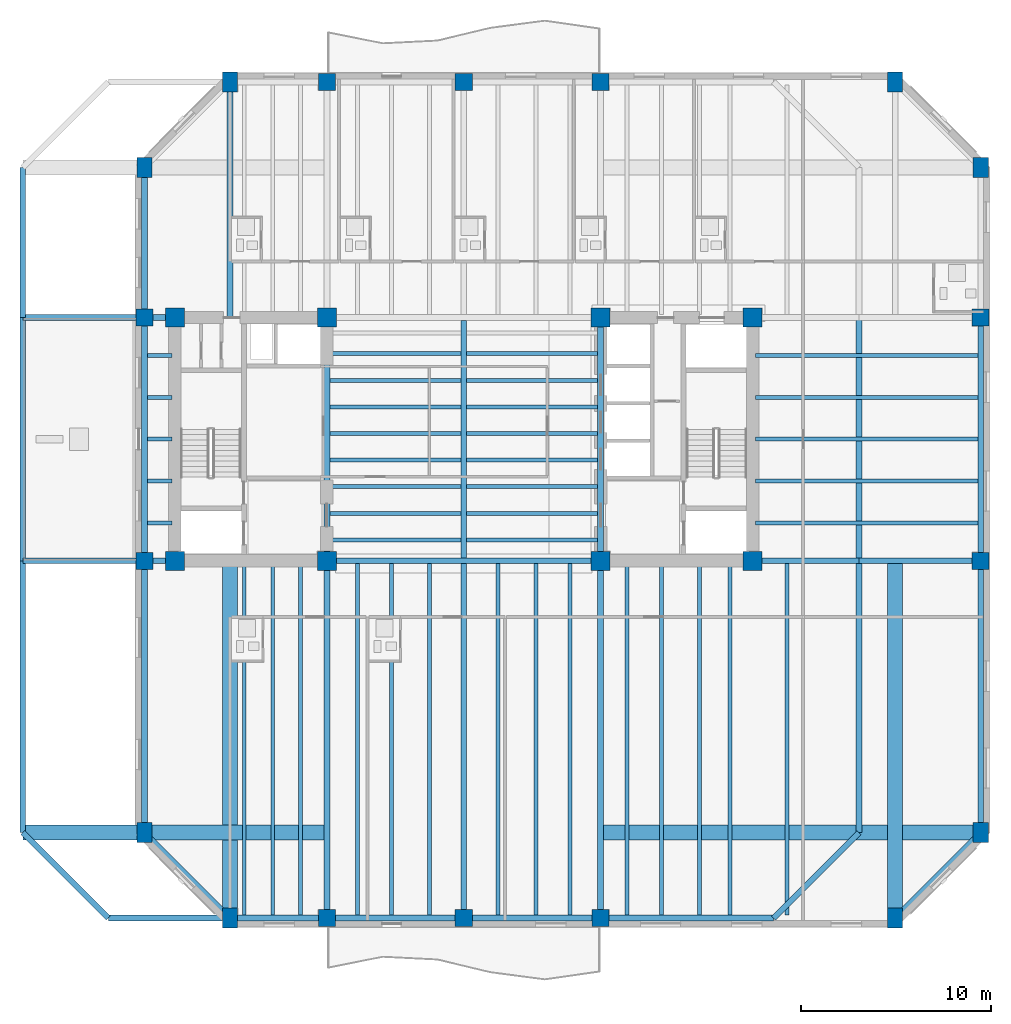
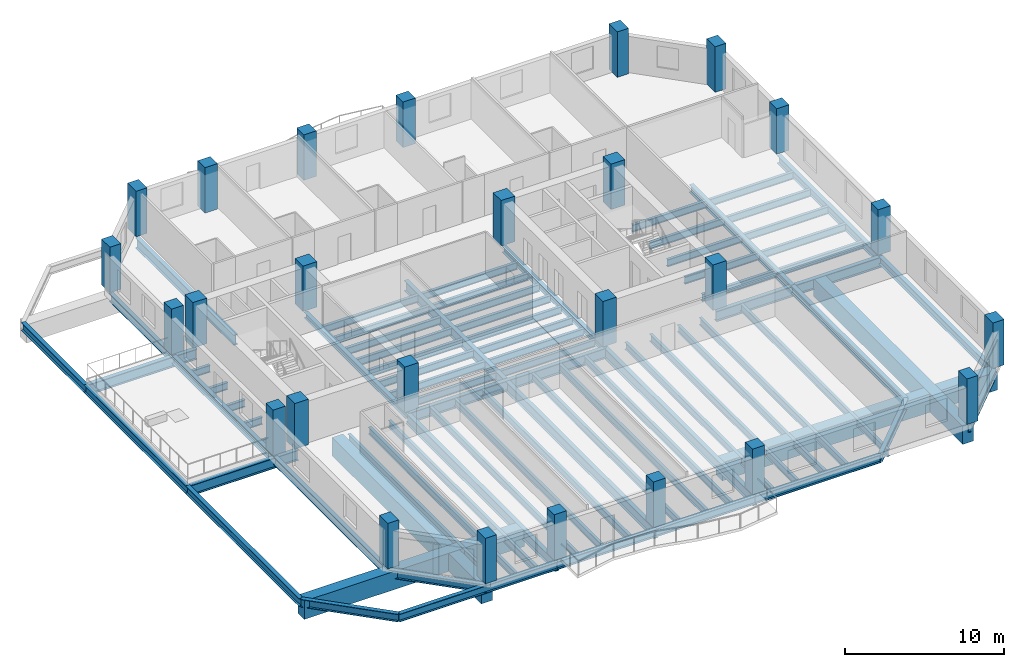
# One storey, part 1 of 11: 74 beams, 26 columns.
"""IFC4 building model written with IfcOpenShell, lengths in metres."""

import ifcopenshell
import ifcopenshell.guid

model = None  # the IFC model being written
_history = None  # IfcOwnerHistory: only IFC2X3 demands one
_inside = {}  # id of a spatial element -> (the spatial element, [elements in it])
_under = {}  # id of a project, library or spatial element -> (it, [spatial elements below it])
_declared = {}  # id of a project -> (the project, [libraries it declares])
_typed = {}  # id of a type object -> (the type object, [elements of that type])
_made_of = {}  # id of a material, layer set ... -> (it, [elements and type objects made of it])


def new_model(schema):
    """Start an empty IFC model of exactly this schema.

    Asked for "IFC4X3", IfcOpenShell would pick the latest addendum, in which some entities
    have other attributes; the version numbers below select the first issue.
    IFC2X3 requires an IfcOwnerHistory on every rooted entity: one is made here for all.
    """
    global model, _history
    if schema == "IFC4X3":
        model = ifcopenshell.file(schema_version=(4, 3, 0, 0))
    else:
        model = ifcopenshell.file(schema=schema)
    _inside.clear()
    _under.clear()
    _declared.clear()
    _typed.clear()
    _made_of.clear()
    _history = None
    if model.schema == "IFC2X3":
        org = make("IfcOrganization", Name="unknown")
        user = make(
            "IfcPersonAndOrganization",
            ThePerson=make("IfcPerson", FamilyName="unknown"),
            TheOrganization=org,
        )
        app = make(
            "IfcApplication",
            ApplicationDeveloper=org,
            Version="unknown",
            ApplicationFullName="unknown",
            ApplicationIdentifier="unknown",
        )
        _history = make(
            "IfcOwnerHistory",
            OwningUser=user,
            OwningApplication=app,
            ChangeAction="ADDED",
            CreationDate=0,
        )
    return model


def make(cls, **values):
    """One entity of the class cls with the attributes given. An attribute that is None is left unset."""
    return model.create_entity(
        cls, **{name: value for name, value in values.items() if value is not None}
    )


def rooted(cls, **values):
    """An entity with a GlobalId (a new one), such as an element, a storey or a relation."""
    return make(cls, GlobalId=ifcopenshell.guid.new(), OwnerHistory=_history, **values)


def si_unit(unit_type, name, prefix=None):
    """IfcSIUnit, for example si_unit("LENGTHUNIT", "METRE", prefix="MILLI")."""
    return make("IfcSIUnit", UnitType=unit_type, Prefix=prefix, Name=name)


def assignment(units):
    """IfcUnitAssignment: the units of a project."""
    return None if units is None else make("IfcUnitAssignment", Units=units)


def point(xyz):
    """IfcCartesianPoint."""
    return None if xyz is None else make("IfcCartesianPoint", Coordinates=xyz)


def direction(xyz):
    """IfcDirection."""
    return None if xyz is None else make("IfcDirection", DirectionRatios=xyz)


def frame(location, z_axis=None, x_axis=None):
    """IfcAxis2Placement3D, a coordinate frame: its origin and axes. An axis left out is left unset."""
    return make(
        "IfcAxis2Placement3D",
        Location=point(location),
        Axis=direction(z_axis),
        RefDirection=direction(x_axis),
    )


def frame_2d(location, x_axis=None):
    """IfcAxis2Placement2D, a coordinate frame in the plane: its origin and x axis."""
    return make(
        "IfcAxis2Placement2D", Location=point(location), RefDirection=direction(x_axis)
    )


def origin():
    """The frame at (0, 0, 0) with its axes left unset."""
    return frame((0.0, 0.0, 0.0))


def origin_2d():
    """The frame at (0, 0) in the plane with its x axis left unset."""
    return frame_2d((0.0, 0.0))


def place(relative_to, where):
    """IfcLocalPlacement: puts the frame where relative to a parent placement (None: the world)."""
    return make(
        "IfcLocalPlacement", PlacementRelTo=relative_to, RelativePlacement=where
    )


def context(
    kind, dimensions, precision=None, world=None, true_north=None, identifier=None
):
    """IfcGeometricRepresentationContext, for example the 3D "Model" context."""
    return make(
        "IfcGeometricRepresentationContext",
        ContextIdentifier=identifier,
        ContextType=kind,
        CoordinateSpaceDimension=dimensions,
        Precision=precision,
        WorldCoordinateSystem=world,
        TrueNorth=true_north,
    )


def subcontext(parent, identifier, kind, view, scale=None):
    """IfcGeometricRepresentationSubContext, for example "Body" below "Model"."""
    return make(
        "IfcGeometricRepresentationSubContext",
        ContextIdentifier=identifier,
        ContextType=kind,
        ParentContext=parent,
        TargetScale=scale,
        TargetView=view,
    )


def project(units=None, contexts=None):
    """IfcProject with its units and contexts."""
    return rooted(
        "IfcProject",
        Name="project",
        RepresentationContexts=contexts,
        UnitsInContext=assignment(units),
    )


def spatial(cls, under=None, at=None, **own):
    """A site, building, storey or space (cls), placed at a placement, below another one or the project."""
    s = rooted(cls, ObjectPlacement=at, **own)
    if under is not None:
        _under.setdefault(under.id(), (under, []))[1].append(s)
    return s


def profile(cls, at=None, kind="AREA", **sizes):
    """A parametric profile (cls). Its sizes go by their IFC names, for example OverallWidth=200.0."""
    return make(cls, ProfileType=kind, Position=at, **sizes)


def rectangle(**sizes):
    """IfcRectangleProfileDef."""
    return profile("IfcRectangleProfileDef", **sizes)


def i_section(**sizes):
    """IfcIShapeProfileDef."""
    return profile("IfcIShapeProfileDef", **sizes)


def extrude(swept, where, along, depth):
    """IfcExtrudedAreaSolid: the profile swept, set in the frame where, extruded along a direction by depth."""
    return make(
        "IfcExtrudedAreaSolid",
        SweptArea=swept,
        Position=where,
        ExtrudedDirection=direction(along),
        Depth=depth,
    )


def shape(context_of_items, identifier, shape_type, items):
    """IfcShapeRepresentation: the items that make up one representation, for example the "Body"."""
    return make(
        "IfcShapeRepresentation",
        ContextOfItems=context_of_items,
        RepresentationIdentifier=identifier,
        RepresentationType=shape_type,
        Items=items,
    )


def material(Name=None, Category=None):
    """IfcMaterial."""
    return make("IfcMaterial", Name=Name, Category=Category)


def material_profile(
    of_material, cross_section, Name=None, Category=None, Priority=None
):
    """IfcMaterialProfile: a cross section and its material."""
    return make(
        "IfcMaterialProfile",
        Name=Name,
        Material=of_material,
        Profile=cross_section,
        Priority=Priority,
        Category=Category,
    )


def profile_set(profiles, Name=None, composite=None):
    """IfcMaterialProfileSet."""
    return make(
        "IfcMaterialProfileSet",
        Name=Name,
        MaterialProfiles=profiles,
        CompositeProfile=composite,
    )


def made_of(thing, what):
    """Note that an element or type object is made of a material, layer set ...; save() writes the relation."""
    if what is not None:
        _made_of.setdefault(what.id(), (what, []))[1].append(thing)
    return thing


def type_object(cls, material=None, **own):
    """A type object (cls), such as IfcWallType, which elements share."""
    return made_of(rooted(cls, **own), material)


def element(
    cls,
    number,
    at=None,
    inside=None,
    cuts=None,
    type_object=None,
    material=None,
    context=None,
    identifier="Body",
    shape_type=None,
    held_by="IfcProductDefinitionShape",
    body=None,
    shapes=None,
    **own,
):
    """One element of the class cls, such as IfcWall. Its Tag is "e" and its number.

    at: its placement. inside: the storey or other place that contains it. cuts: it is an
    opening in that element (IfcRelVoidsElement). A single representation is given by context,
    identifier, shape_type and body (its items); several are given by shapes. held_by: the class
    of the entity that holds the representations. save() writes the other relations.
    """
    e = rooted(cls, Tag="e%d" % number, ObjectPlacement=at, **own)
    if body is not None:
        shapes = [shape(context, identifier, shape_type, body)]
    if shapes is not None:
        e.Representation = make(held_by, Representations=shapes)
    if inside is not None:
        _inside.setdefault(inside.id(), (inside, []))[1].append(e)
    if cuts is not None:
        rooted(
            "IfcRelVoidsElement", RelatingBuildingElement=cuts, RelatedOpeningElement=e
        )
    if type_object is not None:
        _typed.setdefault(type_object.id(), (type_object, []))[1].append(e)
    return made_of(e, material)


def aggregate(whole, parts):
    """IfcRelAggregates: a whole, such as a stair, and the parts it consists of."""
    return rooted("IfcRelAggregates", RelatingObject=whole, RelatedObjects=parts)


def save(model, path):
    """Write the relations noted so far, then the file.

    IfcRelAggregates (storeys below a building ...), IfcRelContainedInSpatialStructure (elements
    in a storey), IfcRelDefinesByType, IfcRelAssociatesMaterial and IfcRelDeclares: one each for
    every whole, place, type object, material and project.
    """
    for whole, parts in _under.values():
        aggregate(whole, parts)
    for where, things in _inside.values():
        rooted(
            "IfcRelContainedInSpatialStructure",
            RelatedElements=things,
            RelatingStructure=where,
        )
    for kind, things in _typed.values():
        rooted("IfcRelDefinesByType", RelatedObjects=things, RelatingType=kind)
    for what, things in _made_of.values():
        rooted("IfcRelAssociatesMaterial", RelatedObjects=things, RelatingMaterial=what)
    for by, libraries in _declared.values():
        rooted("IfcRelDeclares", RelatingContext=by, RelatedDefinitions=libraries)
    model.write(path)


model = new_model("IFC4")

# Units and contexts
model_context = context("Model", 3, precision=1e-05, world=origin(), true_north=direction((0.0, 1.0)))
body_context = subcontext(model_context, "Body", "Model", "MODEL_VIEW")
ifc_project = project(units=[si_unit("LENGTHUNIT", "METRE"), si_unit("AREAUNIT", "SQUARE_METRE"), si_unit("VOLUMEUNIT", "CUBIC_METRE"), si_unit("PLANEANGLEUNIT", "RADIAN"), si_unit("MASSUNIT", "GRAM", prefix="KILO")], contexts=[model_context])

# Site, building, storey
site_placement = place(None, origin())
site = spatial("IfcSite", under=ifc_project, at=site_placement, CompositionType="ELEMENT")
building_placement = place(site_placement, origin())
building = spatial("IfcBuilding", under=site, at=building_placement, Name="Kranthara Brick Stack", CompositionType="ELEMENT")
storey_placement = place(building_placement, frame((0.0, 0.0, 141.300048828125)))
storey = spatial("IfcBuildingStorey", under=building, at=storey_placement, Name="L35", CompositionType="ELEMENT", Elevation=141.300048828125)

# Columns
ifc_material_1 = material(Name="Concrete C60/75", Category="concrete")
ifc_material_profile_1 = material_profile(ifc_material_1, rectangle(XDim=0.800048828125, YDim=1.050048828125, at=origin_2d()), Name="RC 800x1050")
ifc_profile_set_1 = profile_set([ifc_material_profile_1], Name="Concrete C60/75")
column_type_1 = type_object("IfcColumnType", Name="COL-CHAM-800x1050", PredefinedType="COLUMN", material=ifc_profile_set_1)
for number, where, z_axis, x_axis, name in (
    (1, (15.699951171875, 2.0, 0.0), (0.0, 0.0, 1.0), (1.0, 0.0, 0.0), "L35 Column 09"),
    (2, (15.699951171875, 46.0, 0.0), (0.0, 0.0, 1.0), (1.0, 0.0, 0.0), "L35 Column 10"),
    (3, (50.699951171875, 2.0, 0.0), (0.0, 0.0, 1.0), (1.0, 0.0, 0.0), "L35 Column 17"),
    (4, (50.699951171875, 46.0, 0.0), (0.0, 0.0, 1.0), (1.0, 0.0, 0.0), "L35 Column 18"),
    (5, (11.199951171875, 6.5, 0.0), (0.0, 0.0, 1.0), (1.0, 0.0, 0.0), "L35 Column 19"),
    (6, (55.199951171875, 6.5, 0.0), (0.0, 0.0, 1.0), (1.0, 0.0, 0.0), "L35 Column 20"),
    (7, (11.199951171875, 41.5, 0.0), (0.0, 0.0, 1.0), (1.0, 0.0, 0.0), "L35 Column 25"),
    (8, (55.199951171875, 41.5, 0.0), (0.0, 0.0, 1.0), (1.0, 0.0, 0.0), "L35 Column 26"),
):
    element("IfcColumn", number, at=place(storey_placement, frame(where, z_axis=z_axis, x_axis=x_axis)), inside=storey, type_object=column_type_1, Name=name, PredefinedType="COLUMN", context=body_context, shape_type="SweptSolid", body=[
        extrude(rectangle(XDim=0.800048828125, YDim=1.050048828125, at=origin_2d()), origin(), (0.0, 0.0, 1.0), 3.5),
    ])
ifc_material_2 = material(Name="Concrete C60/75", Category="concrete")
ifc_material_profile_2 = material_profile(ifc_material_2, rectangle(XDim=1.0, YDim=1.0, at=origin_2d()), Name="RC 1000x1000")
ifc_profile_set_2 = profile_set([ifc_material_profile_2], Name="Concrete C60/75")
column_type_2 = type_object("IfcColumnType", Name="COL-CORE-1000", PredefinedType="COLUMN", material=ifc_profile_set_2)
for number, where, z_axis, x_axis, name in (
    (9, (12.800048828125, 20.800048828125, 0.0), (0.0, 0.0, 1.0), (1.0, 0.0, 0.0), "L35 Column 01"),
    (10, (20.800048828125, 20.800048828125, 0.0), (0.0, 0.0, 1.0), (1.0, 0.0, 0.0), "L35 Column 02"),
    (11, (12.800048828125, 33.60009765625, 0.0), (0.0, 0.0, 1.0), (1.0, 0.0, 0.0), "L35 Column 03"),
    (12, (20.800048828125, 33.60009765625, 0.0), (0.0, 0.0, 1.0), (1.0, 0.0, 0.0), "L35 Column 04"),
    (13, (35.199951171875, 20.800048828125, 0.0), (0.0, 0.0, 1.0), (1.0, 0.0, 0.0), "L35 Column 05"),
    (14, (43.199951171875, 20.800048828125, 0.0), (0.0, 0.0, 1.0), (1.0, 0.0, 0.0), "L35 Column 06"),
    (15, (35.199951171875, 33.60009765625, 0.0), (0.0, 0.0, 1.0), (1.0, 0.0, 0.0), "L35 Column 07"),
    (16, (43.199951171875, 33.60009765625, 0.0), (0.0, 0.0, 1.0), (1.0, 0.0, 0.0), "L35 Column 08"),
):
    element("IfcColumn", number, at=place(storey_placement, frame(where, z_axis=z_axis, x_axis=x_axis)), inside=storey, type_object=column_type_2, Name=name, PredefinedType="COLUMN", context=body_context, shape_type="SweptSolid", body=[
        extrude(rectangle(XDim=1.0, YDim=1.0, at=origin_2d()), origin(), (0.0, 0.0, 1.0), 3.5),
    ])
ifc_material_3 = material(Name="Concrete C60/75", Category="concrete")
ifc_material_profile_3 = material_profile(ifc_material_3, rectangle(XDim=0.89990234375, YDim=0.89990234375, at=origin_2d()), Name="RC 900x900")
ifc_profile_set_3 = profile_set([ifc_material_profile_3], Name="Concrete C60/75")
column_type_3 = type_object("IfcColumnType", Name="COL-PER-900", PredefinedType="COLUMN", material=ifc_profile_set_3)
for number, where, z_axis, x_axis, name in (
    (17, (20.800048828125, 2.0, 0.0), (0.0, 0.0, 1.0), (1.0, 0.0, 0.0), "L35 Column 11"),
    (18, (20.800048828125, 46.0, 0.0), (0.0, 0.0, 1.0), (1.0, 0.0, 0.0), "L35 Column 12"),
    (19, (28.0, 2.0, 0.0), (0.0, 0.0, 1.0), (1.0, 0.0, 0.0), "L35 Column 13"),
    (20, (28.0, 46.0, 0.0), (0.0, 0.0, 1.0), (1.0, 0.0, 0.0), "L35 Column 14"),
    (21, (35.199951171875, 2.0, 0.0), (0.0, 0.0, 1.0), (1.0, 0.0, 0.0), "L35 Column 15"),
    (22, (35.199951171875, 46.0, 0.0), (0.0, 0.0, 1.0), (1.0, 0.0, 0.0), "L35 Column 16"),
    (23, (11.199951171875, 20.800048828125, 0.0), (0.0, 0.0, 1.0), (1.0, 0.0, 0.0), "L35 Column 21"),
    (24, (55.199951171875, 20.800048828125, 0.0), (0.0, 0.0, 1.0), (1.0, 0.0, 0.0), "L35 Column 22"),
    (25, (11.199951171875, 33.60009765625, 0.0), (0.0, 0.0, 1.0), (1.0, 0.0, 0.0), "L35 Column 23"),
    (26, (55.199951171875, 33.60009765625, 0.0), (0.0, 0.0, 1.0), (1.0, 0.0, 0.0), "L35 Column 24"),
):
    element("IfcColumn", number, at=place(storey_placement, frame(where, z_axis=z_axis, x_axis=x_axis)), inside=storey, type_object=column_type_3, Name=name, PredefinedType="COLUMN", context=body_context, shape_type="SweptSolid", body=[
        extrude(rectangle(XDim=0.89990234375, YDim=0.89990234375, at=origin_2d()), origin(), (0.0, 0.0, 1.0), 3.5),
    ])

# Beams
ifc_material_4 = material(Name="Steel S355", Category="steel")
ifc_material_profile_4 = material_profile(ifc_material_4, i_section(OverallWidth=0.2099609375, OverallDepth=0.550048828125, WebThickness=0.010986328125, FlangeThickness=0.01708984375, at=origin_2d()), Name="IPE 550")
ifc_profile_set_4 = profile_set([ifc_material_profile_4], Name="Steel S355")
beam_type_1 = type_object("IfcBeamType", Name="BM-JST-IPE550", PredefinedType="JOIST", material=ifc_profile_set_4)
for number, where, z_axis, x_axis, name in (
    (27, (20.949951171875, 21.89990234375, -0.72509765625), (1.0, 0.0, 0.0), (0.0, 1.0, 0.0), "L35 Central Floor Joist 054"),
    (28, (28.14990234375, 21.89990234375, -0.72509765625), (1.0, 0.0, 0.0), (0.0, 1.0, 0.0), "L35 Central Floor Joist 055"),
    (29, (20.949951171875, 23.300048828125, -0.72509765625), (1.0, 0.0, 0.0), (0.0, 1.0, 0.0), "L35 Central Floor Joist 056"),
    (30, (28.14990234375, 23.300048828125, -0.72509765625), (1.0, 0.0, 0.0), (0.0, 1.0, 0.0), "L35 Central Floor Joist 057"),
    (31, (20.949951171875, 24.699951171875, -0.72509765625), (1.0, 0.0, 0.0), (0.0, 1.0, 0.0), "L35 Central Floor Joist 058"),
    (32, (28.14990234375, 24.699951171875, -0.72509765625), (1.0, 0.0, 0.0), (0.0, 1.0, 0.0), "L35 Central Floor Joist 059"),
    (33, (20.949951171875, 26.10009765625, -0.72509765625), (1.0, 0.0, 0.0), (0.0, 1.0, 0.0), "L35 Central Floor Joist 060"),
    (34, (28.14990234375, 26.10009765625, -0.72509765625), (1.0, 0.0, 0.0), (0.0, 1.0, 0.0), "L35 Central Floor Joist 061"),
    (35, (20.949951171875, 27.5, -0.72509765625), (1.0, 0.0, 0.0), (0.0, 1.0, 0.0), "L35 Central Floor Joist 062"),
    (36, (28.14990234375, 27.5, -0.72509765625), (1.0, 0.0, 0.0), (0.0, 1.0, 0.0), "L35 Central Floor Joist 063"),
    (37, (20.949951171875, 28.89990234375, -0.72509765625), (1.0, 0.0, 0.0), (0.0, 1.0, 0.0), "L35 Central Floor Joist 064"),
    (38, (28.14990234375, 28.89990234375, -0.72509765625), (1.0, 0.0, 0.0), (0.0, 1.0, 0.0), "L35 Central Floor Joist 065"),
    (39, (20.949951171875, 30.300048828125, -0.72509765625), (1.0, 0.0, 0.0), (0.0, 1.0, 0.0), "L35 Central Floor Joist 066"),
    (40, (28.14990234375, 30.300048828125, -0.72509765625), (1.0, 0.0, 0.0), (0.0, 1.0, 0.0), "L35 Central Floor Joist 067"),
    (41, (20.949951171875, 31.699951171875, -0.72509765625), (1.0, 0.0, 0.0), (0.0, 1.0, 0.0), "L35 Central Floor Joist 068"),
    (42, (28.14990234375, 31.699951171875, -0.72509765625), (1.0, 0.0, 0.0), (0.0, 1.0, 0.0), "L35 Central Floor Joist 069"),
):
    element("IfcBeam", number, at=place(storey_placement, frame(where, z_axis=z_axis, x_axis=x_axis)), inside=storey, type_object=beam_type_1, Name=name, PredefinedType="JOIST", context=body_context, shape_type="SweptSolid", body=[
        extrude(i_section(OverallWidth=0.2099609375, OverallDepth=0.550048828125, WebThickness=0.010986328125, FlangeThickness=0.01708984375, at=origin_2d()), origin(), (0.0, 0.0, 1.0), 6.900146484375),
    ])
for number, where, z_axis, x_axis, name in (
    (43, (16.449951171875, 2.14990234375, -0.72509765625), (0.0, 1.0, 0.0), (-1.0, 0.0, 0.0), "L35 South Wing Floor Joist 072"),
    (44, (17.949951171875, 2.14990234375, -0.72509765625), (0.0, 1.0, 0.0), (-1.0, 0.0, 0.0), "L35 South Wing Floor Joist 074"),
    (45, (19.39990234375, 2.14990234375, -0.72509765625), (0.0, 1.0, 0.0), (-1.0, 0.0, 0.0), "L35 South Wing Floor Joist 076"),
    (46, (22.39990234375, 2.14990234375, -0.72509765625), (0.0, 1.0, 0.0), (-1.0, 0.0, 0.0), "L35 South Wing Floor Joist 078"),
    (47, (24.199951171875, 2.14990234375, -0.72509765625), (0.0, 1.0, 0.0), (-1.0, 0.0, 0.0), "L35 South Wing Floor Joist 080"),
    (48, (26.199951171875, 2.14990234375, -0.72509765625), (0.0, 1.0, 0.0), (-1.0, 0.0, 0.0), "L35 South Wing Floor Joist 082"),
    (49, (29.800048828125, 2.14990234375, -0.72509765625), (0.0, 1.0, 0.0), (-1.0, 0.0, 0.0), "L35 South Wing Floor Joist 084"),
    (50, (31.800048828125, 2.14990234375, -0.72509765625), (0.0, 1.0, 0.0), (-1.0, 0.0, 0.0), "L35 South Wing Floor Joist 086"),
    (51, (33.60009765625, 2.14990234375, -0.72509765625), (0.0, 1.0, 0.0), (-1.0, 0.0, 0.0), "L35 South Wing Floor Joist 088"),
    (52, (36.60009765625, 2.14990234375, -0.72509765625), (0.0, 1.0, 0.0), (-1.0, 0.0, 0.0), "L35 South Wing Floor Joist 090"),
    (53, (38.39990234375, 2.14990234375, -0.72509765625), (0.0, 1.0, 0.0), (-1.0, 0.0, 0.0), "L35 South Wing Floor Joist 092"),
    (54, (40.39990234375, 2.14990234375, -0.72509765625), (0.0, 1.0, 0.0), (-1.0, 0.0, 0.0), "L35 South Wing Floor Joist 094"),
    (55, (42.0, 2.14990234375, -0.72509765625), (0.0, 1.0, 0.0), (-1.0, 0.0, 0.0), "L35 South Wing Floor Joist 096"),
    (56, (45.0, 2.14990234375, -0.72509765625), (0.0, 1.0, 0.0), (-1.0, 0.0, 0.0), "L35 South Wing Floor Joist 098"),
):
    element("IfcBeam", number, at=place(storey_placement, frame(where, z_axis=z_axis, x_axis=x_axis)), inside=storey, type_object=beam_type_1, Name=name, PredefinedType="JOIST", context=body_context, shape_type="SweptSolid", body=[
        extrude(i_section(OverallWidth=0.2099609375, OverallDepth=0.550048828125, WebThickness=0.010986328125, FlangeThickness=0.01708984375, at=origin_2d()), origin(), (0.0, 0.0, 1.0), 18.5),
    ])
beam_1_placement = place(storey_placement, frame((11.35009765625, 22.800048828125, -0.72509765625), z_axis=(1.0, 0.0, 0.0), x_axis=(0.0, 1.0, 0.0)))
element("IfcBeam", 57, at=beam_1_placement, inside=storey, type_object=beam_type_1, Name="L35 West Wing Floor Joist 100", PredefinedType="JOIST", context=body_context, shape_type="SweptSolid", body=[
    extrude(i_section(OverallWidth=0.2099609375, OverallDepth=0.550048828125, WebThickness=0.010986328125, FlangeThickness=0.01708984375, at=origin_2d()), origin(), (0.0, 0.0, 1.0), 1.2998046875),
])
beam_2_placement = place(storey_placement, frame((43.35009765625, 22.800048828125, -0.72509765625), z_axis=(1.0, 0.0, 0.0), x_axis=(0.0, 1.0, 0.0)))
element("IfcBeam", 58, at=beam_2_placement, inside=storey, type_object=beam_type_1, Name="L35 East Wing Floor Joist 101", PredefinedType="JOIST", context=body_context, shape_type="SweptSolid", body=[
    extrude(i_section(OverallWidth=0.2099609375, OverallDepth=0.550048828125, WebThickness=0.010986328125, FlangeThickness=0.01708984375, at=origin_2d()), origin(), (0.0, 0.0, 1.0), 11.699951171875),
])
beam_3_placement = place(storey_placement, frame((11.35009765625, 25.0, -0.72509765625), z_axis=(1.0, 0.0, 0.0), x_axis=(0.0, 1.0, 0.0)))
element("IfcBeam", 59, at=beam_3_placement, inside=storey, type_object=beam_type_1, Name="L35 West Wing Floor Joist 102", PredefinedType="JOIST", context=body_context, shape_type="SweptSolid", body=[
    extrude(i_section(OverallWidth=0.2099609375, OverallDepth=0.550048828125, WebThickness=0.010986328125, FlangeThickness=0.01708984375, at=origin_2d()), origin(), (0.0, 0.0, 1.0), 1.2998046875),
])
beam_4_placement = place(storey_placement, frame((43.35009765625, 25.0, -0.72509765625), z_axis=(1.0, 0.0, 0.0), x_axis=(0.0, 1.0, 0.0)))
element("IfcBeam", 60, at=beam_4_placement, inside=storey, type_object=beam_type_1, Name="L35 East Wing Floor Joist 103", PredefinedType="JOIST", context=body_context, shape_type="SweptSolid", body=[
    extrude(i_section(OverallWidth=0.2099609375, OverallDepth=0.550048828125, WebThickness=0.010986328125, FlangeThickness=0.01708984375, at=origin_2d()), origin(), (0.0, 0.0, 1.0), 11.699951171875),
])
beam_5_placement = place(storey_placement, frame((11.35009765625, 27.199951171875, -0.72509765625), z_axis=(1.0, 0.0, 0.0), x_axis=(0.0, 1.0, 0.0)))
element("IfcBeam", 61, at=beam_5_placement, inside=storey, type_object=beam_type_1, Name="L35 West Wing Floor Joist 104", PredefinedType="JOIST", context=body_context, shape_type="SweptSolid", body=[
    extrude(i_section(OverallWidth=0.2099609375, OverallDepth=0.550048828125, WebThickness=0.010986328125, FlangeThickness=0.01708984375, at=origin_2d()), origin(), (0.0, 0.0, 1.0), 1.2998046875),
])
beam_6_placement = place(storey_placement, frame((43.35009765625, 27.199951171875, -0.72509765625), z_axis=(1.0, 0.0, 0.0), x_axis=(0.0, 1.0, 0.0)))
element("IfcBeam", 62, at=beam_6_placement, inside=storey, type_object=beam_type_1, Name="L35 East Wing Floor Joist 105", PredefinedType="JOIST", context=body_context, shape_type="SweptSolid", body=[
    extrude(i_section(OverallWidth=0.2099609375, OverallDepth=0.550048828125, WebThickness=0.010986328125, FlangeThickness=0.01708984375, at=origin_2d()), origin(), (0.0, 0.0, 1.0), 11.699951171875),
])
beam_7_placement = place(storey_placement, frame((11.35009765625, 29.39990234375, -0.72509765625), z_axis=(1.0, 0.0, 0.0), x_axis=(0.0, 1.0, 0.0)))
element("IfcBeam", 63, at=beam_7_placement, inside=storey, type_object=beam_type_1, Name="L35 West Wing Floor Joist 106", PredefinedType="JOIST", context=body_context, shape_type="SweptSolid", body=[
    extrude(i_section(OverallWidth=0.2099609375, OverallDepth=0.550048828125, WebThickness=0.010986328125, FlangeThickness=0.01708984375, at=origin_2d()), origin(), (0.0, 0.0, 1.0), 1.2998046875),
])
beam_8_placement = place(storey_placement, frame((43.35009765625, 29.39990234375, -0.72509765625), z_axis=(1.0, 0.0, 0.0), x_axis=(0.0, 1.0, 0.0)))
element("IfcBeam", 64, at=beam_8_placement, inside=storey, type_object=beam_type_1, Name="L35 East Wing Floor Joist 107", PredefinedType="JOIST", context=body_context, shape_type="SweptSolid", body=[
    extrude(i_section(OverallWidth=0.2099609375, OverallDepth=0.550048828125, WebThickness=0.010986328125, FlangeThickness=0.01708984375, at=origin_2d()), origin(), (0.0, 0.0, 1.0), 11.699951171875),
])
beam_9_placement = place(storey_placement, frame((11.35009765625, 31.60009765625, -0.72509765625), z_axis=(1.0, 0.0, 0.0), x_axis=(0.0, 1.0, 0.0)))
element("IfcBeam", 65, at=beam_9_placement, inside=storey, type_object=beam_type_1, Name="L35 West Wing Floor Joist 108", PredefinedType="JOIST", context=body_context, shape_type="SweptSolid", body=[
    extrude(i_section(OverallWidth=0.2099609375, OverallDepth=0.550048828125, WebThickness=0.010986328125, FlangeThickness=0.01708984375, at=origin_2d()), origin(), (0.0, 0.0, 1.0), 1.2998046875),
])
beam_10_placement = place(storey_placement, frame((43.35009765625, 31.60009765625, -0.72509765625), z_axis=(1.0, 0.0, 0.0), x_axis=(0.0, 1.0, 0.0)))
element("IfcBeam", 66, at=beam_10_placement, inside=storey, type_object=beam_type_1, Name="L35 East Wing Floor Joist 109", PredefinedType="JOIST", context=body_context, shape_type="SweptSolid", body=[
    extrude(i_section(OverallWidth=0.2099609375, OverallDepth=0.550048828125, WebThickness=0.010986328125, FlangeThickness=0.01708984375, at=origin_2d()), origin(), (0.0, 0.0, 1.0), 11.699951171875),
])
ifc_material_5 = material(Name="Steel S355", Category="steel")
ifc_material_profile_5 = material_profile(ifc_material_5, i_section(OverallWidth=0.300048828125, OverallDepth=0.449951171875, WebThickness=0.013916015625, FlangeThickness=0.02587890625, at=origin_2d()), Name="HEB 450")
ifc_profile_set_5 = profile_set([ifc_material_profile_5], Name="Steel S355")
beam_type_2 = type_object("IfcBeamType", Name="BM-STL-HEB450", PredefinedType="SPANDREL", material=ifc_profile_set_5)
for number, where, z_axis, x_axis, name in (
    (67, (20.800048828125, 20.800048828125, -0.675048828125), (0.0, 1.0, 0.0), (-1.0, 0.0, 0.0), "L35 Core Edge Tie Beam 003"),
    (68, (35.199951171875, 20.800048828125, -0.675048828125), (0.0, 1.0, 0.0), (-1.0, 0.0, 0.0), "L35 Core Edge Tie Beam 004"),
):
    element("IfcBeam", number, at=place(storey_placement, frame(where, z_axis=z_axis, x_axis=x_axis)), inside=storey, type_object=beam_type_2, Name=name, PredefinedType="SPANDREL", context=body_context, shape_type="SweptSolid", body=[
        extrude(i_section(OverallWidth=0.300048828125, OverallDepth=0.449951171875, WebThickness=0.013916015625, FlangeThickness=0.02587890625, at=origin_2d()), origin(), (0.0, 0.0, 1.0), 12.800048828125),
    ])
ifc_material_6 = material(Name="Steel S355", Category="steel")
ifc_material_profile_6 = material_profile(ifc_material_6, i_section(OverallWidth=0.300048828125, OverallDepth=0.60009765625, WebThickness=0.015380859375, FlangeThickness=0.030029296875, at=origin_2d()), Name="HEB 600")
ifc_profile_set_6 = profile_set([ifc_material_profile_6], Name="Steel S355")
beam_type_3 = type_object("IfcBeamType", Name="BM-STL-HEB600", PredefinedType="BEAM", material=ifc_profile_set_6)
beam_11_placement = place(storey_placement, frame((9.300048828125, 2.0, -0.75), z_axis=(1.0, 0.0, 0.0), x_axis=(0.0, 1.0, 0.0)))
element("IfcBeam", 69, at=beam_11_placement, inside=storey, type_object=beam_type_3, Name="L35 Perimeter Spandrel Beam 005", PredefinedType="BEAM", context=body_context, shape_type="SweptSolid", body=[
    extrude(i_section(OverallWidth=0.300048828125, OverallDepth=0.60009765625, WebThickness=0.015380859375, FlangeThickness=0.030029296875, at=origin_2d()), origin(), (0.0, 0.0, 1.0), 11.5),
])
for number, where, z_axis, x_axis, name in (
    (70, (20.800048828125, 2.0, -0.75), (1.0, 0.0, 0.0), (0.0, 1.0, 0.0), "L35 Perimeter Spandrel Beam 006"),
    (71, (28.0, 2.0, -0.75), (1.0, 0.0, 0.0), (0.0, 1.0, 0.0), "L35 Perimeter Spandrel Beam 007"),
):
    element("IfcBeam", number, at=place(storey_placement, frame(where, z_axis=z_axis, x_axis=x_axis)), inside=storey, type_object=beam_type_3, Name=name, PredefinedType="BEAM", context=body_context, shape_type="SweptSolid", body=[
        extrude(i_section(OverallWidth=0.300048828125, OverallDepth=0.60009765625, WebThickness=0.015380859375, FlangeThickness=0.030029296875, at=origin_2d()), origin(), (0.0, 0.0, 1.0), 7.199951171875),
    ])
beam_12_placement = place(storey_placement, frame((35.199951171875, 2.0, -0.75), z_axis=(1.0, 0.0, 0.0), x_axis=(0.0, 1.0, 0.0)))
element("IfcBeam", 72, at=beam_12_placement, inside=storey, type_object=beam_type_3, Name="L35 Perimeter Spandrel Beam 008", PredefinedType="BEAM", context=body_context, shape_type="SweptSolid", body=[
    extrude(i_section(OverallWidth=0.300048828125, OverallDepth=0.60009765625, WebThickness=0.015380859375, FlangeThickness=0.030029296875, at=origin_2d()), origin(), (0.0, 0.0, 1.0), 9.10009765625),
])
beam_13_placement = place(storey_placement, frame((4.800048828125, 6.5, -0.75), z_axis=(0.0, 1.0, 0.0), x_axis=(-1.0, 0.0, 0.0)))
element("IfcBeam", 73, at=beam_13_placement, inside=storey, type_object=beam_type_3, Name="L35 Perimeter Spandrel Beam 013", PredefinedType="BEAM", context=body_context, shape_type="SweptSolid", body=[
    extrude(i_section(OverallWidth=0.300048828125, OverallDepth=0.60009765625, WebThickness=0.015380859375, FlangeThickness=0.030029296875, at=origin_2d()), origin(), (0.0, 0.0, 1.0), 14.300048828125),
])
beam_14_placement = place(storey_placement, frame((4.800048828125, 20.800048828125, -0.75), z_axis=(0.0, 1.0, 0.0), x_axis=(-1.0, 0.0, 0.0)))
element("IfcBeam", 74, at=beam_14_placement, inside=storey, type_object=beam_type_3, Name="L35 Perimeter Spandrel Beam 014", PredefinedType="BEAM", context=body_context, shape_type="SweptSolid", body=[
    extrude(i_section(OverallWidth=0.300048828125, OverallDepth=0.60009765625, WebThickness=0.015380859375, FlangeThickness=0.030029296875, at=origin_2d()), origin(), (0.0, 0.0, 1.0), 12.800048828125),
])
beam_15_placement = place(storey_placement, frame((4.800048828125, 33.60009765625, -0.75), z_axis=(0.0, 1.0, 0.0), x_axis=(-1.0, 0.0, 0.0)))
element("IfcBeam", 75, at=beam_15_placement, inside=storey, type_object=beam_type_3, Name="L35 Perimeter Spandrel Beam 015", PredefinedType="BEAM", context=body_context, shape_type="SweptSolid", body=[
    extrude(i_section(OverallWidth=0.300048828125, OverallDepth=0.60009765625, WebThickness=0.015380859375, FlangeThickness=0.030029296875, at=origin_2d()), origin(), (0.0, 0.0, 1.0), 7.89990234375),
])
beam_16_placement = place(storey_placement, frame((48.800048828125, 6.5, -0.75), z_axis=(0.0, 1.0, 0.0), x_axis=(-1.0, 0.0, 0.0)))
element("IfcBeam", 76, at=beam_16_placement, inside=storey, type_object=beam_type_3, Name="L35 Perimeter Spandrel Beam 016", PredefinedType="BEAM", context=body_context, shape_type="SweptSolid", body=[
    extrude(i_section(OverallWidth=0.300048828125, OverallDepth=0.60009765625, WebThickness=0.015380859375, FlangeThickness=0.030029296875, at=origin_2d()), origin(), (0.0, 0.0, 1.0), 14.300048828125),
])
beam_17_placement = place(storey_placement, frame((48.800048828125, 20.800048828125, -0.75), z_axis=(0.0, 1.0, 0.0), x_axis=(-1.0, 0.0, 0.0)))
element("IfcBeam", 77, at=beam_17_placement, inside=storey, type_object=beam_type_3, Name="L35 Perimeter Spandrel Beam 017", PredefinedType="BEAM", context=body_context, shape_type="SweptSolid", body=[
    extrude(i_section(OverallWidth=0.300048828125, OverallDepth=0.60009765625, WebThickness=0.015380859375, FlangeThickness=0.030029296875, at=origin_2d()), origin(), (0.0, 0.0, 1.0), 12.800048828125),
])
for number, where, z_axis, x_axis, name in (
    (78, (9.300048828125, 2.0, -0.75), (-0.707106781187, 0.707106781187, 0.0), (-0.707106781187, -0.707106781187, 0.0), "L35 Chamfer Corner Spandrel 019"),
    (79, (44.300048828125, 2.0, -0.75), (0.707106781187, 0.707106781187, 0.0), (-0.707106781187, 0.707106781187, 0.0), "L35 Chamfer Corner Spandrel 020"),
):
    element("IfcBeam", number, at=place(storey_placement, frame(where, z_axis=z_axis, x_axis=x_axis)), inside=storey, type_object=beam_type_3, Name=name, PredefinedType="BEAM", context=body_context, shape_type="SweptSolid", body=[
        extrude(i_section(OverallWidth=0.300048828125, OverallDepth=0.60009765625, WebThickness=0.015380859375, FlangeThickness=0.030029296875, at=origin_2d()), origin(), (0.0, 0.0, 1.0), 6.364013671875),
    ])
beam_18_placement = place(storey_placement, frame((11.199951171875, 6.5, -0.75), z_axis=(0.0, 1.0, 0.0), x_axis=(-1.0, 0.0, 0.0)))
element("IfcBeam", 80, at=beam_18_placement, inside=storey, type_object=beam_type_3, Name="L35 Perimeter Spandrel Beam 023", PredefinedType="BEAM", context=body_context, shape_type="SweptSolid", body=[
    extrude(i_section(OverallWidth=0.300048828125, OverallDepth=0.60009765625, WebThickness=0.015380859375, FlangeThickness=0.030029296875, at=origin_2d()), origin(), (0.0, 0.0, 1.0), 14.300048828125),
])
beam_19_placement = place(storey_placement, frame((11.199951171875, 20.800048828125, -0.75), z_axis=(0.0, 1.0, 0.0), x_axis=(-1.0, 0.0, 0.0)))
element("IfcBeam", 81, at=beam_19_placement, inside=storey, type_object=beam_type_3, Name="L35 Perimeter Spandrel Beam 024", PredefinedType="BEAM", context=body_context, shape_type="SweptSolid", body=[
    extrude(i_section(OverallWidth=0.300048828125, OverallDepth=0.60009765625, WebThickness=0.015380859375, FlangeThickness=0.030029296875, at=origin_2d()), origin(), (0.0, 0.0, 1.0), 12.800048828125),
])
beam_20_placement = place(storey_placement, frame((11.199951171875, 33.60009765625, -0.75), z_axis=(0.0, 1.0, 0.0), x_axis=(-1.0, 0.0, 0.0)))
element("IfcBeam", 82, at=beam_20_placement, inside=storey, type_object=beam_type_3, Name="L35 Perimeter Spandrel Beam 025", PredefinedType="BEAM", context=body_context, shape_type="SweptSolid", body=[
    extrude(i_section(OverallWidth=0.300048828125, OverallDepth=0.60009765625, WebThickness=0.015380859375, FlangeThickness=0.030029296875, at=origin_2d()), origin(), (0.0, 0.0, 1.0), 7.89990234375),
])
beam_21_placement = place(storey_placement, frame((55.199951171875, 6.5, -0.75), z_axis=(0.0, 1.0, 0.0), x_axis=(-1.0, 0.0, 0.0)))
element("IfcBeam", 83, at=beam_21_placement, inside=storey, type_object=beam_type_3, Name="L35 Perimeter Spandrel Beam 026", PredefinedType="BEAM", context=body_context, shape_type="SweptSolid", body=[
    extrude(i_section(OverallWidth=0.300048828125, OverallDepth=0.60009765625, WebThickness=0.015380859375, FlangeThickness=0.030029296875, at=origin_2d()), origin(), (0.0, 0.0, 1.0), 14.300048828125),
])
beam_22_placement = place(storey_placement, frame((55.199951171875, 20.800048828125, -0.75), z_axis=(0.0, 1.0, 0.0), x_axis=(-1.0, 0.0, 0.0)))
element("IfcBeam", 84, at=beam_22_placement, inside=storey, type_object=beam_type_3, Name="L35 Perimeter Spandrel Beam 027", PredefinedType="BEAM", context=body_context, shape_type="SweptSolid", body=[
    extrude(i_section(OverallWidth=0.300048828125, OverallDepth=0.60009765625, WebThickness=0.015380859375, FlangeThickness=0.030029296875, at=origin_2d()), origin(), (0.0, 0.0, 1.0), 12.800048828125),
])
for number, where, z_axis, x_axis, name in (
    (85, (15.699951171875, 2.0, -0.75), (-0.707106781187, 0.707106781187, 0.0), (-0.707106781187, -0.707106781187, 0.0), "L35 Chamfer Corner Spandrel 029"),
    (86, (50.699951171875, 2.0, -0.75), (0.707106781187, 0.707106781187, 0.0), (-0.707106781187, 0.707106781187, 0.0), "L35 Chamfer Corner Spandrel 030"),
):
    element("IfcBeam", number, at=place(storey_placement, frame(where, z_axis=z_axis, x_axis=x_axis)), inside=storey, type_object=beam_type_3, Name=name, PredefinedType="BEAM", context=body_context, shape_type="SweptSolid", body=[
        extrude(i_section(OverallWidth=0.300048828125, OverallDepth=0.60009765625, WebThickness=0.015380859375, FlangeThickness=0.030029296875, at=origin_2d()), origin(), (0.0, 0.0, 1.0), 6.364013671875),
    ])
ifc_material_7 = material(Name="Steel S355", Category="steel")
ifc_material_profile_7 = material_profile(ifc_material_7, i_section(OverallWidth=0.300048828125, OverallDepth=0.800048828125, WebThickness=0.017578125, FlangeThickness=0.032958984375, at=origin_2d()), Name="HEB 800")
ifc_profile_set_7 = profile_set([ifc_material_profile_7], Name="Steel S355")
beam_type_4 = type_object("IfcBeamType", Name="BM-TR-HEB800", PredefinedType="BEAM", material=ifc_profile_set_7)
beam_23_placement = place(storey_placement, frame((20.800048828125, 20.800048828125, -0.85009765625), z_axis=(1.0, 0.0, 0.0), x_axis=(0.0, 1.0, 0.0)))
element("IfcBeam", 87, at=beam_23_placement, inside=storey, type_object=beam_type_4, Name="L35 Core Coupling Beam 001", PredefinedType="BEAM", context=body_context, shape_type="SweptSolid", body=[
    extrude(i_section(OverallWidth=0.300048828125, OverallDepth=0.800048828125, WebThickness=0.017578125, FlangeThickness=0.032958984375, at=origin_2d()), origin(), (0.0, 0.0, 1.0), 14.39990234375),
])
beam_24_placement = place(storey_placement, frame((20.800048828125, 2.0, -0.85009765625), z_axis=(0.0, 1.0, 0.0), x_axis=(-1.0, 0.0, 0.0)))
element("IfcBeam", 88, at=beam_24_placement, inside=storey, type_object=beam_type_4, Name="L35 Primary Grid Girder 033", PredefinedType="BEAM", context=body_context, shape_type="SweptSolid", body=[
    extrude(i_section(OverallWidth=0.300048828125, OverallDepth=0.800048828125, WebThickness=0.017578125, FlangeThickness=0.032958984375, at=origin_2d()), origin(), (0.0, 0.0, 1.0), 18.800048828125),
])
beam_25_placement = place(storey_placement, frame((28.0, 2.0, -0.85009765625), z_axis=(0.0, 1.0, 0.0), x_axis=(-1.0, 0.0, 0.0)))
element("IfcBeam", 89, at=beam_25_placement, inside=storey, type_object=beam_type_4, Name="L35 Primary Grid Girder 035", PredefinedType="BEAM", context=body_context, shape_type="SweptSolid", body=[
    extrude(i_section(OverallWidth=0.300048828125, OverallDepth=0.800048828125, WebThickness=0.017578125, FlangeThickness=0.032958984375, at=origin_2d()), origin(), (0.0, 0.0, 1.0), 18.64990234375),
])
beam_26_placement = place(storey_placement, frame((28.0, 20.949951171875, -0.85009765625), z_axis=(0.0, 1.0, 0.0), x_axis=(-1.0, 0.0, 0.0)))
element("IfcBeam", 90, at=beam_26_placement, inside=storey, type_object=beam_type_4, Name="L35 Central Spine Girder 036", PredefinedType="BEAM", context=body_context, shape_type="SweptSolid", body=[
    extrude(i_section(OverallWidth=0.300048828125, OverallDepth=0.800048828125, WebThickness=0.017578125, FlangeThickness=0.032958984375, at=origin_2d()), origin(), (0.0, 0.0, 1.0), 12.5),
])
beam_27_placement = place(storey_placement, frame((35.199951171875, 2.0, -0.85009765625), z_axis=(0.0, 1.0, 0.0), x_axis=(-1.0, 0.0, 0.0)))
element("IfcBeam", 91, at=beam_27_placement, inside=storey, type_object=beam_type_4, Name="L35 Primary Grid Girder 038", PredefinedType="BEAM", context=body_context, shape_type="SweptSolid", body=[
    extrude(i_section(OverallWidth=0.300048828125, OverallDepth=0.800048828125, WebThickness=0.017578125, FlangeThickness=0.032958984375, at=origin_2d()), origin(), (0.0, 0.0, 1.0), 18.800048828125),
])
beam_28_placement = place(storey_placement, frame((4.800048828125, 20.800048828125, -0.85009765625), z_axis=(1.0, 0.0, 0.0), x_axis=(0.0, 1.0, 0.0)))
element("IfcBeam", 92, at=beam_28_placement, inside=storey, type_object=beam_type_4, Name="L35 Primary Grid Girder 040", PredefinedType="BEAM", context=body_context, shape_type="SweptSolid", body=[
    extrude(i_section(OverallWidth=0.300048828125, OverallDepth=0.800048828125, WebThickness=0.017578125, FlangeThickness=0.032958984375, at=origin_2d()), origin(), (0.0, 0.0, 1.0), 8.0),
])
beam_29_placement = place(storey_placement, frame((43.199951171875, 20.800048828125, -0.85009765625), z_axis=(1.0, 0.0, 0.0), x_axis=(0.0, 1.0, 0.0)))
element("IfcBeam", 93, at=beam_29_placement, inside=storey, type_object=beam_type_4, Name="L35 Primary Grid Girder 041", PredefinedType="BEAM", context=body_context, shape_type="SweptSolid", body=[
    extrude(i_section(OverallWidth=0.300048828125, OverallDepth=0.800048828125, WebThickness=0.017578125, FlangeThickness=0.032958984375, at=origin_2d()), origin(), (0.0, 0.0, 1.0), 5.60009765625),
])
beam_30_placement = place(storey_placement, frame((48.800048828125, 20.800048828125, -0.85009765625), z_axis=(1.0, 0.0, 0.0), x_axis=(0.0, 1.0, 0.0)))
element("IfcBeam", 94, at=beam_30_placement, inside=storey, type_object=beam_type_4, Name="L35 Primary Grid Girder 042", PredefinedType="BEAM", context=body_context, shape_type="SweptSolid", body=[
    extrude(i_section(OverallWidth=0.300048828125, OverallDepth=0.800048828125, WebThickness=0.017578125, FlangeThickness=0.032958984375, at=origin_2d()), origin(), (0.0, 0.0, 1.0), 6.39990234375),
])
beam_31_placement = place(storey_placement, frame((4.800048828125, 33.60009765625, -0.85009765625), z_axis=(1.0, 0.0, 0.0), x_axis=(0.0, 1.0, 0.0)))
element("IfcBeam", 95, at=beam_31_placement, inside=storey, type_object=beam_type_4, Name="L35 Primary Grid Girder 043", PredefinedType="BEAM", context=body_context, shape_type="SweptSolid", body=[
    extrude(i_section(OverallWidth=0.300048828125, OverallDepth=0.800048828125, WebThickness=0.017578125, FlangeThickness=0.032958984375, at=origin_2d()), origin(), (0.0, 0.0, 1.0), 8.0),
])
beam_32_placement = place(storey_placement, frame((15.699951171875, 46.0, -0.85009765625), z_axis=(0.0, -1.0, 0.0), x_axis=(1.0, 0.0, 0.0)))
element("IfcBeam", 96, at=beam_32_placement, inside=storey, type_object=beam_type_4, Name="L35 Transfer Tie Girder 047", PredefinedType="BEAM", context=body_context, shape_type="SweptSolid", body=[
    extrude(i_section(OverallWidth=0.300048828125, OverallDepth=0.800048828125, WebThickness=0.017578125, FlangeThickness=0.032958984375, at=origin_2d()), origin(), (0.0, 0.0, 1.0), 12.39990234375),
])
ifc_material_8 = material(Name="Post-tensioned concrete C50/60", Category="concrete")
ifc_material_profile_8 = material_profile(ifc_material_8, rectangle(XDim=0.800048828125, YDim=1.39990234375, at=origin_2d()), Name="PT 800x1400")
ifc_profile_set_8 = profile_set([ifc_material_profile_8], Name="Post-tensioned concrete C50/60")
beam_type_5 = type_object("IfcBeamType", Name="BM-TR-PT1400", PredefinedType="T_BEAM", material=ifc_profile_set_8)
for number, where, z_axis, x_axis, name in (
    (97, (15.699951171875, 2.0, -1.150146484375), (0.0, 1.0, 0.0), (-1.0, 0.0, 0.0), "L35 Transfer Tie Girder 046"),
    (98, (50.699951171875, 2.0, -1.150146484375), (0.0, 1.0, 0.0), (-1.0, 0.0, 0.0), "L35 Transfer Tie Girder 048"),
):
    element("IfcBeam", number, at=place(storey_placement, frame(where, z_axis=z_axis, x_axis=x_axis)), inside=storey, type_object=beam_type_5, Name=name, PredefinedType="T_BEAM", context=body_context, shape_type="SweptSolid", body=[
        extrude(rectangle(XDim=0.800048828125, YDim=1.39990234375, at=origin_2d()), origin(), (0.0, 0.0, 1.0), 18.800048828125),
    ])
beam_33_placement = place(storey_placement, frame((4.800048828125, 6.5, -1.150146484375), z_axis=(1.0, 0.0, 0.0), x_axis=(0.0, 1.0, 0.0)))
element("IfcBeam", 99, at=beam_33_placement, inside=storey, type_object=beam_type_5, Name="L35 Transfer Tie Girder 050", PredefinedType="T_BEAM", context=body_context, shape_type="SweptSolid", body=[
    extrude(rectangle(XDim=0.800048828125, YDim=1.39990234375, at=origin_2d()), origin(), (0.0, 0.0, 1.0), 16.0),
])
beam_34_placement = place(storey_placement, frame((55.199951171875, 6.5, -1.150146484375), z_axis=(-1.0, 0.0, 0.0), x_axis=(0.0, -1.0, 0.0)))
element("IfcBeam", 100, at=beam_34_placement, inside=storey, type_object=beam_type_5, Name="L35 Transfer Tie Girder 051", PredefinedType="T_BEAM", context=body_context, shape_type="SweptSolid", body=[
    extrude(rectangle(XDim=0.800048828125, YDim=1.39990234375, at=origin_2d()), origin(), (0.0, 0.0, 1.0), 20.0),
])

save(model, "model.ifc")
